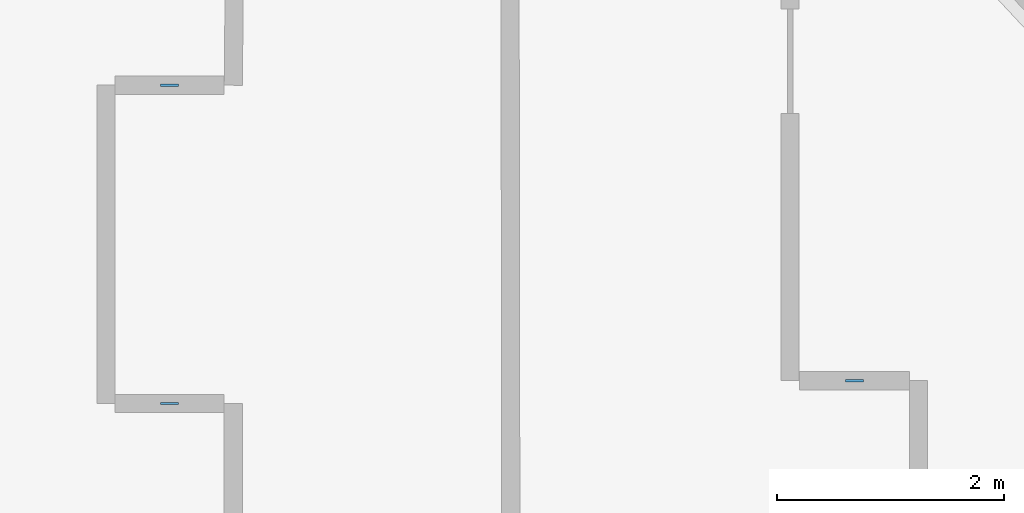
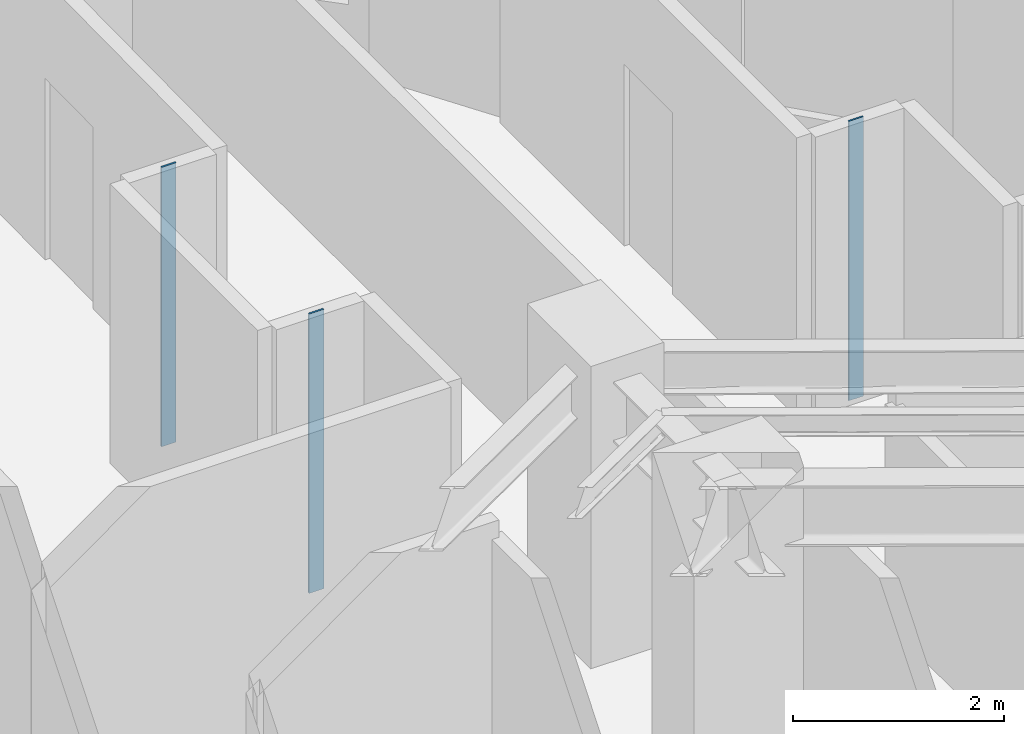
# One storey, part 7 of 14: 3 plates.
"""IFC4 building model written with IfcOpenShell, lengths in metres."""

import ifcopenshell
import ifcopenshell.guid

model = None  # the IFC model being written
_history = None  # IfcOwnerHistory: only IFC2X3 demands one
_inside = {}  # id of a spatial element -> (the spatial element, [elements in it])
_under = {}  # id of a project, library or spatial element -> (it, [spatial elements below it])
_declared = {}  # id of a project -> (the project, [libraries it declares])
_typed = {}  # id of a type object -> (the type object, [elements of that type])
_made_of = {}  # id of a material, layer set ... -> (it, [elements and type objects made of it])


def new_model(schema):
    """Start an empty IFC model of exactly this schema.

    Asked for "IFC4X3", IfcOpenShell would pick the latest addendum, in which some entities
    have other attributes; the version numbers below select the first issue.
    IFC2X3 requires an IfcOwnerHistory on every rooted entity: one is made here for all.
    """
    global model, _history
    if schema == "IFC4X3":
        model = ifcopenshell.file(schema_version=(4, 3, 0, 0))
    else:
        model = ifcopenshell.file(schema=schema)
    _inside.clear()
    _under.clear()
    _declared.clear()
    _typed.clear()
    _made_of.clear()
    _history = None
    if model.schema == "IFC2X3":
        org = make("IfcOrganization", Name="unknown")
        user = make(
            "IfcPersonAndOrganization",
            ThePerson=make("IfcPerson", FamilyName="unknown"),
            TheOrganization=org,
        )
        app = make(
            "IfcApplication",
            ApplicationDeveloper=org,
            Version="unknown",
            ApplicationFullName="unknown",
            ApplicationIdentifier="unknown",
        )
        _history = make(
            "IfcOwnerHistory",
            OwningUser=user,
            OwningApplication=app,
            ChangeAction="ADDED",
            CreationDate=0,
        )
    return model


def make(cls, **values):
    """One entity of the class cls with the attributes given. An attribute that is None is left unset."""
    return model.create_entity(
        cls, **{name: value for name, value in values.items() if value is not None}
    )


def rooted(cls, **values):
    """An entity with a GlobalId (a new one), such as an element, a storey or a relation."""
    return make(cls, GlobalId=ifcopenshell.guid.new(), OwnerHistory=_history, **values)


def si_unit(unit_type, name, prefix=None):
    """IfcSIUnit, for example si_unit("LENGTHUNIT", "METRE", prefix="MILLI")."""
    return make("IfcSIUnit", UnitType=unit_type, Prefix=prefix, Name=name)


def assignment(units):
    """IfcUnitAssignment: the units of a project."""
    return None if units is None else make("IfcUnitAssignment", Units=units)


def point(xyz):
    """IfcCartesianPoint."""
    return None if xyz is None else make("IfcCartesianPoint", Coordinates=xyz)


def direction(xyz):
    """IfcDirection."""
    return None if xyz is None else make("IfcDirection", DirectionRatios=xyz)


def frame(location, z_axis=None, x_axis=None):
    """IfcAxis2Placement3D, a coordinate frame: its origin and axes. An axis left out is left unset."""
    return make(
        "IfcAxis2Placement3D",
        Location=point(location),
        Axis=direction(z_axis),
        RefDirection=direction(x_axis),
    )


def frame_2d(location, x_axis=None):
    """IfcAxis2Placement2D, a coordinate frame in the plane: its origin and x axis."""
    return make(
        "IfcAxis2Placement2D", Location=point(location), RefDirection=direction(x_axis)
    )


def origin():
    """The frame at (0, 0, 0) with its axes left unset."""
    return frame((0.0, 0.0, 0.0))


def origin_2d():
    """The frame at (0, 0) in the plane with its x axis left unset."""
    return frame_2d((0.0, 0.0))


def place(relative_to, where):
    """IfcLocalPlacement: puts the frame where relative to a parent placement (None: the world)."""
    return make(
        "IfcLocalPlacement", PlacementRelTo=relative_to, RelativePlacement=where
    )


def context(
    kind, dimensions, precision=None, world=None, true_north=None, identifier=None
):
    """IfcGeometricRepresentationContext, for example the 3D "Model" context."""
    return make(
        "IfcGeometricRepresentationContext",
        ContextIdentifier=identifier,
        ContextType=kind,
        CoordinateSpaceDimension=dimensions,
        Precision=precision,
        WorldCoordinateSystem=world,
        TrueNorth=true_north,
    )


def subcontext(parent, identifier, kind, view, scale=None):
    """IfcGeometricRepresentationSubContext, for example "Body" below "Model"."""
    return make(
        "IfcGeometricRepresentationSubContext",
        ContextIdentifier=identifier,
        ContextType=kind,
        ParentContext=parent,
        TargetScale=scale,
        TargetView=view,
    )


def project(units=None, contexts=None):
    """IfcProject with its units and contexts."""
    return rooted(
        "IfcProject",
        Name="project",
        RepresentationContexts=contexts,
        UnitsInContext=assignment(units),
    )


def spatial(cls, under=None, at=None, **own):
    """A site, building, storey or space (cls), placed at a placement, below another one or the project."""
    s = rooted(cls, ObjectPlacement=at, **own)
    if under is not None:
        _under.setdefault(under.id(), (under, []))[1].append(s)
    return s


def profile(cls, at=None, kind="AREA", **sizes):
    """A parametric profile (cls). Its sizes go by their IFC names, for example OverallWidth=200.0."""
    return make(cls, ProfileType=kind, Position=at, **sizes)


def rectangle(**sizes):
    """IfcRectangleProfileDef."""
    return profile("IfcRectangleProfileDef", **sizes)


def extrude(swept, where, along, depth):
    """IfcExtrudedAreaSolid: the profile swept, set in the frame where, extruded along a direction by depth."""
    return make(
        "IfcExtrudedAreaSolid",
        SweptArea=swept,
        Position=where,
        ExtrudedDirection=direction(along),
        Depth=depth,
    )


def shape(context_of_items, identifier, shape_type, items):
    """IfcShapeRepresentation: the items that make up one representation, for example the "Body"."""
    return make(
        "IfcShapeRepresentation",
        ContextOfItems=context_of_items,
        RepresentationIdentifier=identifier,
        RepresentationType=shape_type,
        Items=items,
    )


def material(Name=None, Category=None):
    """IfcMaterial."""
    return make("IfcMaterial", Name=Name, Category=Category)


def layer(
    of_material, thickness, ventilated=None, Name=None, Category=None, Priority=None
):
    """IfcMaterialLayer: one layer of a wall or slab, of a material (None: an air gap)."""
    return make(
        "IfcMaterialLayer",
        Material=of_material,
        LayerThickness=thickness,
        IsVentilated=ventilated,
        Name=Name,
        Category=Category,
        Priority=Priority,
    )


def layer_set(layers, Name=None):
    """IfcMaterialLayerSet."""
    return make("IfcMaterialLayerSet", MaterialLayers=layers, LayerSetName=Name)


def made_of(thing, what):
    """Note that an element or type object is made of a material, layer set ...; save() writes the relation."""
    if what is not None:
        _made_of.setdefault(what.id(), (what, []))[1].append(thing)
    return thing


def type_object(cls, material=None, **own):
    """A type object (cls), such as IfcWallType, which elements share."""
    return made_of(rooted(cls, **own), material)


def element(
    cls,
    number,
    at=None,
    inside=None,
    cuts=None,
    type_object=None,
    material=None,
    context=None,
    identifier="Body",
    shape_type=None,
    held_by="IfcProductDefinitionShape",
    body=None,
    shapes=None,
    **own,
):
    """One element of the class cls, such as IfcWall. Its Tag is "e" and its number.

    at: its placement. inside: the storey or other place that contains it. cuts: it is an
    opening in that element (IfcRelVoidsElement). A single representation is given by context,
    identifier, shape_type and body (its items); several are given by shapes. held_by: the class
    of the entity that holds the representations. save() writes the other relations.
    """
    e = rooted(cls, Tag="e%d" % number, ObjectPlacement=at, **own)
    if body is not None:
        shapes = [shape(context, identifier, shape_type, body)]
    if shapes is not None:
        e.Representation = make(held_by, Representations=shapes)
    if inside is not None:
        _inside.setdefault(inside.id(), (inside, []))[1].append(e)
    if cuts is not None:
        rooted(
            "IfcRelVoidsElement", RelatingBuildingElement=cuts, RelatedOpeningElement=e
        )
    if type_object is not None:
        _typed.setdefault(type_object.id(), (type_object, []))[1].append(e)
    return made_of(e, material)


def aggregate(whole, parts):
    """IfcRelAggregates: a whole, such as a stair, and the parts it consists of."""
    return rooted("IfcRelAggregates", RelatingObject=whole, RelatedObjects=parts)


def save(model, path):
    """Write the relations noted so far, then the file.

    IfcRelAggregates (storeys below a building ...), IfcRelContainedInSpatialStructure (elements
    in a storey), IfcRelDefinesByType, IfcRelAssociatesMaterial and IfcRelDeclares: one each for
    every whole, place, type object, material and project.
    """
    for whole, parts in _under.values():
        aggregate(whole, parts)
    for where, things in _inside.values():
        rooted(
            "IfcRelContainedInSpatialStructure",
            RelatedElements=things,
            RelatingStructure=where,
        )
    for kind, things in _typed.values():
        rooted("IfcRelDefinesByType", RelatedObjects=things, RelatingType=kind)
    for what, things in _made_of.values():
        rooted("IfcRelAssociatesMaterial", RelatedObjects=things, RelatingMaterial=what)
    for by, libraries in _declared.values():
        rooted("IfcRelDeclares", RelatingContext=by, RelatedDefinitions=libraries)
    model.write(path)


model = new_model("IFC4")

# Units and contexts
model_context = context("Model", 3, precision=1e-05, world=origin(), true_north=direction((0.0, 1.0)))
body_context = subcontext(model_context, "Body", "Model", "MODEL_VIEW")
ifc_project = project(units=[si_unit("LENGTHUNIT", "METRE"), si_unit("AREAUNIT", "SQUARE_METRE"), si_unit("VOLUMEUNIT", "CUBIC_METRE"), si_unit("PLANEANGLEUNIT", "RADIAN"), si_unit("MASSUNIT", "GRAM", prefix="KILO")], contexts=[model_context])

# Site, building, storey
site_placement = place(None, origin())
site = spatial("IfcSite", under=ifc_project, at=site_placement, CompositionType="ELEMENT")
building_placement = place(site_placement, origin())
building = spatial("IfcBuilding", under=site, at=building_placement, Name="Miruveldt Soraemaru", CompositionType="ELEMENT")
storey_placement = place(building_placement, frame((0.0, 0.0, 128.39990234375)))
storey = spatial("IfcBuildingStorey", under=building, at=storey_placement, Name="L35", CompositionType="ELEMENT", Elevation=128.39990234375)

# Plates
ifc_material = material(Name="Anodised aluminium EN AW-6063 T6", Category="aluminium")
ifc_layer = layer(ifc_material, 0.02001953125, Name="Anodised aluminium EN AW-6063 T6", Category="aluminium")
ifc_layer_set = layer_set([ifc_layer], Name="Anodised aluminium EN AW-6063 T6")
plate_type = type_object("IfcPlateType", Name="PLT-PART-TRIM", PredefinedType="SHEET", material=ifc_layer_set)
for number, where, z_axis, x_axis, name in (
    (1, (48.014892578125, 62.1298828125, 0.0), (0.0, 0.0, 1.0), (-1.0, 0.0, 0.0), "L35 Partition Step Corner Trim Plate 034"),
    (2, (41.989990234375, 64.72998046875, 0.0), (0.0, 0.0, 1.0), (-1.0, 0.0, 0.0), "L35 Partition Step Corner Trim Plate 022"),
    (3, (41.989990234375, 61.929931640625, 0.0), (0.0, 0.0, 1.0), (1.0, 0.0, 0.0), "L35 Partition Step Corner Trim Plate 024"),
):
    element("IfcPlate", number, at=place(storey_placement, frame(where, z_axis=z_axis, x_axis=x_axis)), inside=storey, type_object=plate_type, Name=name, PredefinedType="SHEET", context=body_context, shape_type="SweptSolid", body=[
        extrude(rectangle(XDim=0.159912109375, YDim=0.02001953125, at=origin_2d()), origin(), (0.0, 0.0, 1.0), 3.235107421875),
    ])

save(model, "model.ifc")
